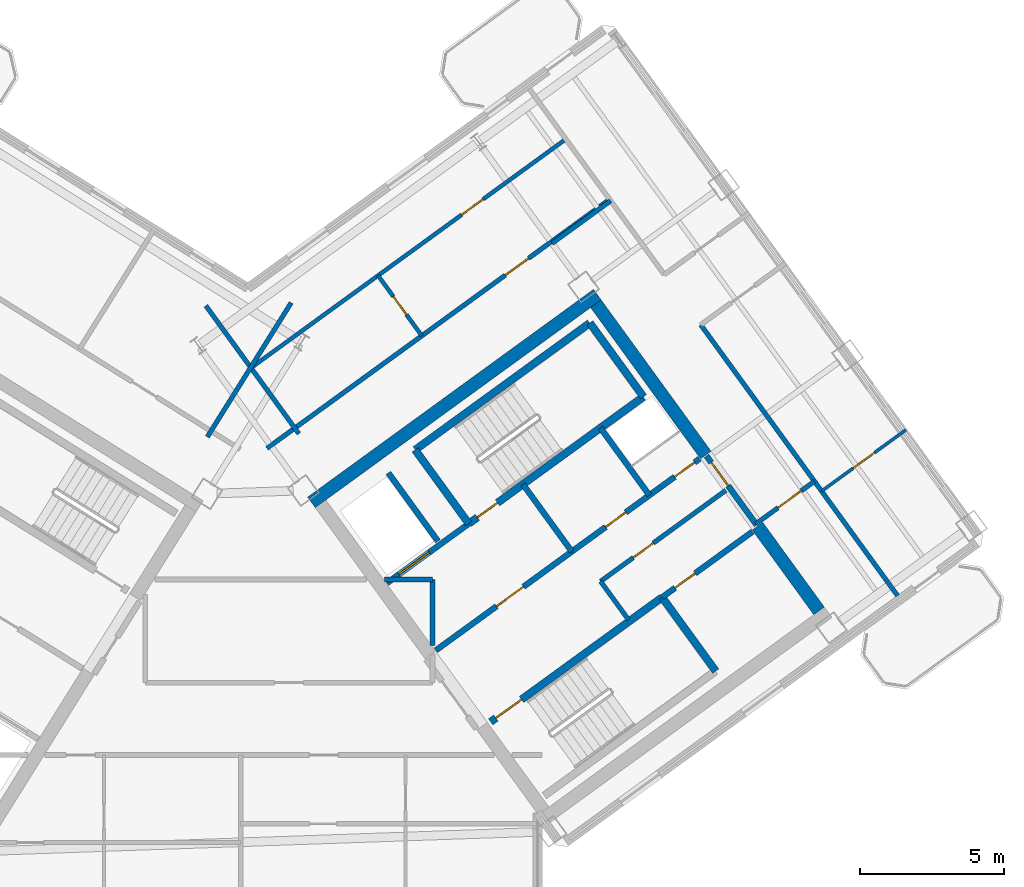
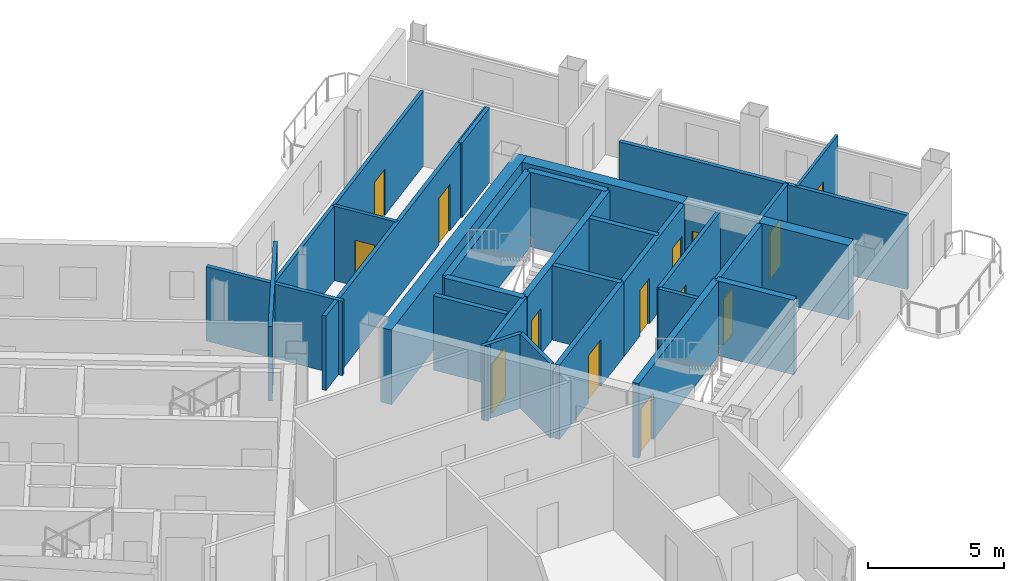
# One storey, part 14 of 21: 30 walls, 14 doors, 14 openings.
"""IFC4 building model written with IfcOpenShell, lengths in metres."""

from ifc_helpers import new_model, si_unit, direction, frame, frame_2d, origin, place, context, subcontext, project, spatial, rectangle, extrude, source, transform, mapped, material, layer, layer_set, type_object, element, fill, save


model = new_model("IFC4")

# Units and contexts
model_context = context("Model", 3, precision=1e-05, world=origin(), true_north=direction((0.0, 1.0)))
body_context = subcontext(model_context, "Body", "Model", "MODEL_VIEW")
ifc_project = project(units=[si_unit("LENGTHUNIT", "METRE"), si_unit("AREAUNIT", "SQUARE_METRE"), si_unit("VOLUMEUNIT", "CUBIC_METRE"), si_unit("PLANEANGLEUNIT", "RADIAN"), si_unit("MASSUNIT", "GRAM", prefix="KILO")], contexts=[model_context])

# Site, building, storey
site_placement = place(None, origin())
site = spatial("IfcSite", under=ifc_project, at=site_placement, CompositionType="ELEMENT")
building_placement = place(site_placement, origin())
building = spatial("IfcBuilding", under=site, at=building_placement, Name="Tlacorven Tower", CompositionType="ELEMENT")
storey_placement = place(building_placement, frame((0.0, 0.0, 222.0)))
storey = spatial("IfcBuildingStorey", under=building, at=storey_placement, Name="L56", CompositionType="ELEMENT", Elevation=222.0)

# Walls
ifc_material_1 = material(Name="Concrete C50/60", Category="concrete")
ifc_layer_1 = layer(ifc_material_1, 0.449951171875)
ifc_layer_set_1 = layer_set([ifc_layer_1], Name="Concrete C50/60")
wall_type_1 = type_object("IfcWallType", Name="WL-COR-450", PredefinedType="SHEAR", material=ifc_layer_set_1)
wall_1_placement = place(storey_placement, frame((44.405517578125, 24.171630859375, 0.0), z_axis=(0.0, 0.0, 1.0), x_axis=(0.809012867805, 0.587790931986, 0.0)))
element("IfcWall", 1, at=wall_1_placement, inside=storey, type_object=wall_type_1, Name="L56 E core shear wall S2", PredefinedType="SHEAR", context=body_context, shape_type="SweptSolid", body=[
    extrude(rectangle(XDim=12.239990234375, YDim=0.449951171875, at=frame_2d((6.1201171875, 0.0))), origin(), (0.0, 0.0, 1.0), 3.35009765625),
])
wall_2_placement = place(storey_placement, frame((61.987548828125, 20.413330078125, 0.0), z_axis=(0.0, 0.0, 1.0), x_axis=(-0.587819244441, 0.808992296542, 0.0)))
element("IfcWall", 2, at=wall_2_placement, inside=storey, type_object=wall_type_1, Name="L56 E core end wall E2.1", PredefinedType="SHEAR", context=body_context, shape_type="SweptSolid", body=[
    extrude(rectangle(XDim=3.625, YDim=0.449951171875, at=frame_2d((1.8125, 0.0))), origin(), (0.0, 0.0, 1.0), 3.35009765625),
])
wall_3_placement = place(storey_placement, frame((58.06396484375, 25.8134765625, 0.0), z_axis=(0.0, 0.0, 1.0), x_axis=(-0.587774812919, 0.809024578921, 0.0)))
element("IfcWall", 3, at=wall_3_placement, inside=storey, type_object=wall_type_1, Name="L56 E core end wall E2.2", PredefinedType="SHEAR", context=body_context, shape_type="SweptSolid", body=[
    extrude(rectangle(XDim=6.47509765625, YDim=0.449951171875, at=frame_2d((3.237548828125, 0.0))), origin(), (0.0, 0.0, 1.0), 3.35009765625),
])

# Wall, opening, door
ifc_material_2 = material(Name="Gypsum plasterboard acoustic partition", Category="gypsum")
ifc_layer_2 = layer(ifc_material_2, 0.159912109375)
ifc_layer_set_2 = layer_set([ifc_layer_2], Name="Gypsum plasterboard acoustic partition")
wall_type_2 = type_object("IfcWallType", Name="WL-DEM-160", PredefinedType="PARTITIONING", material=ifc_layer_set_2)
wall_4_placement = place(storey_placement, frame((54.421142578125, 21.436279296875, 0.0), z_axis=(0.0, 0.0, 1.0), x_axis=(0.809013710463, 0.587789772183, 0.0)))
wall_4 = element("IfcWall", 4, at=wall_4_placement, inside=storey, type_object=wall_type_2, Name="L56 partition 31", PredefinedType="PARTITIONING", context=body_context, shape_type="SweptSolid", body=[
    extrude(rectangle(XDim=5.360107421875, YDim=0.159912109375, at=frame_2d((2.68017578125, 0.0))), origin(), (0.0, 0.0, 1.0), 3.340087890625),
])
opening_1_placement = place(wall_4_placement, frame((1.39990234375, 0.0, 0.0)))
opening_1 = element("IfcOpeningElement", 5, at=opening_1_placement, cuts=wall_4, Name="Opening D19", PredefinedType="OPENING", context=body_context, shape_type="SweptSolid", body=[
    extrude(rectangle(XDim=0.860107421875, YDim=2.050048828125, at=frame_2d((0.43017578125, 1.02490234375))), frame((0.0, 0.08984375, 0.0), z_axis=(0.0, -1.0, 0.0), x_axis=(1.0, 0.0, 0.0)), (0.0, 0.0, 1.0), 0.179931640625),
])
ifc_material_3 = material(Name="Fire-rated steel door assembly", Category="steel")
door_type_1 = type_object("IfcDoorType", Name="DR-RSR-FD60-0860", OperationType="NOTDEFINED", PredefinedType="DOOR", material=ifc_material_3)
shared_shape_1 = source(origin(), body_context, "Body", "SweptSolid", [
    extrude(rectangle(XDim=0.860107421875, YDim=2.050048828125, at=frame_2d((0.43017578125, 1.02490234375))), frame((0.0, 0.02490234375, 0.0), z_axis=(0.0, -1.0, 0.0), x_axis=(1.0, 0.0, 0.0)), (0.0, 0.0, 1.0), 0.050048828125),
])
door_1_placement = place(opening_1_placement, origin())
door_1 = element("IfcDoor", 6, at=door_1_placement, inside=storey, type_object=door_type_1, Name="L56 Freed Core Store Door", OperationType="SINGLE_SWING_LEFT", OverallHeight=2.050048828125, OverallWidth=0.860107421875, PredefinedType="DOOR", context=body_context, shape_type="MappedRepresentation", body=[
    mapped(shared_shape_1, transform((0.0, 0.0, 0.0), scale=1.0)),
])
fill(opening_1, door_1)

# Walls
wall_5_placement = place(storey_placement, frame((55.390869140625, 20.1015625, 0.0), z_axis=(0.0, 0.0, 1.0), x_axis=(-0.58778447739, 0.809017557374, 0.0)))
element("IfcWall", 7, at=wall_5_placement, inside=storey, type_object=wall_type_2, Name="L56 partition 32", PredefinedType="PARTITIONING", context=body_context, shape_type="SweptSolid", body=[
    extrude(rectangle(XDim=1.64990234375, YDim=0.159912109375, at=frame_2d((0.824951171875, 0.0))), origin(), (0.0, 0.0, 1.0), 3.340087890625),
])
wall_6_placement = place(storey_placement, frame((43.70361328125, 31.086181640625, 0.0), z_axis=(0.0, 0.0, 1.0), x_axis=(-0.529906828443, -0.848055866774, 0.0)))
element("IfcWall", 8, at=wall_6_placement, inside=storey, type_object=wall_type_2, Name="L56 WC West Throat Wall", PredefinedType="PARTITIONING", context=body_context, shape_type="SweptSolid", body=[
    extrude(rectangle(XDim=5.479736328125, YDim=0.159912109375, at=frame_2d((2.73974609375, 0.0))), origin(), (0.0, 0.0, 1.0), 3.340087890625),
])
wall_7_placement = place(storey_placement, frame((48.60009765625, 19.2099609375, 0.0), z_axis=(0.0, 0.0, 1.0), x_axis=(0.0, 1.0, 0.0)))
element("IfcWall", 9, at=wall_7_placement, inside=storey, type_object=wall_type_2, Name="L56 partition 65", PredefinedType="PARTITIONING", context=body_context, shape_type="SweptSolid", body=[
    extrude(rectangle(XDim=2.2900390625, YDim=0.159912109375, at=frame_2d((1.14501953125, 0.0))), origin(), (0.0, 0.0, 1.0), 3.340087890625),
])
wall_8_placement = place(storey_placement, frame((46.936279296875, 21.5, 0.0), z_axis=(0.0, 0.0, 1.0), x_axis=(1.0, 0.0, 0.0)))
element("IfcWall", 10, at=wall_8_placement, inside=storey, type_object=wall_type_2, Name="L56 partition 66", PredefinedType="PARTITIONING", context=body_context, shape_type="SweptSolid", body=[
    extrude(rectangle(XDim=1.663818359375, YDim=0.159912109375, at=frame_2d((0.83203125, 0.0))), origin(), (0.0, 0.0, 1.0), 3.340087890625),
])

# Wall, opening, door
wall_9_placement = place(storey_placement, frame((59.7978515625, 23.427001953125, 0.0), z_axis=(0.0, 0.0, 1.0), x_axis=(0.809034604122, 0.587761013791, 0.0)))
wall_9 = element("IfcWall", 11, at=wall_9_placement, inside=storey, type_object=wall_type_2, Name="L56 partition 78", PredefinedType="PARTITIONING", context=body_context, shape_type="SweptSolid", body=[
    extrude(rectangle(XDim=2.510009765625, YDim=0.159912109375, at=frame_2d((1.2548828125, 0.0))), origin(), (0.0, 0.0, 1.0), 3.340087890625),
])
opening_2_placement = place(wall_9_placement, frame((0.949951171875, 0.0, 0.0)))
opening_2 = element("IfcOpeningElement", 12, at=opening_2_placement, cuts=wall_9, Name="Opening D11", PredefinedType="OPENING", context=body_context, shape_type="SweptSolid", body=[
    extrude(rectangle(XDim=1.0, YDim=2.10009765625, at=frame_2d((0.5, 1.050048828125))), frame((0.0, 0.08984375, 0.0), z_axis=(0.0, -1.0, 0.0), x_axis=(1.0, 0.0, 0.0)), (0.0, 0.0, 1.0), 0.179931640625),
])
door_type_2 = type_object("IfcDoorType", Name="DR-FLT-FD60-1000", OperationType="NOTDEFINED", PredefinedType="DOOR", material=ifc_material_3)
shared_shape_2 = source(origin(), body_context, "Body", "SweptSolid", [
    extrude(rectangle(XDim=1.0, YDim=2.10009765625, at=frame_2d((0.5, 1.050048828125))), frame((0.0, 0.02490234375, 0.0), z_axis=(0.0, -1.0, 0.0), x_axis=(1.0, 0.0, 0.0)), (0.0, 0.0, 1.0), 0.050048828125),
])
door_2_placement = place(opening_2_placement, frame((1.0, 0.0, 0.0), z_axis=(0.0, 0.0, 1.0), x_axis=(-1.0, 0.0, 0.0)))
door_2 = element("IfcDoor", 13, at=door_2_placement, inside=storey, type_object=door_type_2, Name="L56 door 053", OperationType="SINGLE_SWING_RIGHT", OverallHeight=2.10009765625, OverallWidth=1.0, PredefinedType="DOOR", context=body_context, shape_type="MappedRepresentation", body=[
    mapped(shared_shape_2, transform((0.0, 0.0, 0.0), scale=1.0)),
])
fill(opening_2, door_2)

# Walls
wall_10_placement = place(storey_placement, frame((52.73876953125, 33.143310546875, 0.0), z_axis=(0.0, 0.0, 1.0), x_axis=(0.809000999347, 0.58780726693, 0.0)))
element("IfcWall", 14, at=wall_10_placement, inside=storey, type_object=wall_type_2, Name="L56 partition 79", PredefinedType="PARTITIONING", context=body_context, shape_type="SweptSolid", body=[
    extrude(rectangle(XDim=2.510009765625, YDim=0.159912109375, at=frame_2d((1.2548828125, 0.0))), origin(), (0.0, 0.0, 1.0), 3.340087890625),
])
wall_11_placement = place(storey_placement, frame((64.708740234375, 20.93798828125, 0.0), z_axis=(0.0, 0.0, 1.0), x_axis=(-0.587781191743, 0.809019944521, 0.0)))
element("IfcWall", 15, at=wall_11_placement, inside=storey, type_object=wall_type_2, Name="L56 partition 80", PredefinedType="PARTITIONING", context=body_context, shape_type="SweptSolid", body=[
    extrude(rectangle(XDim=11.60009765625, YDim=0.159912109375, at=frame_2d((5.800048828125, 0.0))), origin(), (0.0, 0.0, 1.0), 3.340087890625),
])

# Wall, opening, door
wall_12_placement = place(storey_placement, frame((42.86572265625, 26.04443359375, 0.0), z_axis=(0.0, 0.0, 1.0), x_axis=(0.809020254154, 0.587780765566, 0.0)))
wall_12 = element("IfcWall", 16, at=wall_12_placement, inside=storey, type_object=wall_type_2, Name="L56 partition 86", PredefinedType="PARTITIONING", context=body_context, shape_type="SweptSolid", body=[
    extrude(rectangle(XDim=14.670166015625, YDim=0.159912109375, at=frame_2d((7.3349609375, 0.0))), origin(), (0.0, 0.0, 1.0), 3.340087890625),
])
opening_3_placement = place(wall_12_placement, frame((10.199951171875, 0.0, 0.0)))
opening_3 = element("IfcOpeningElement", 17, at=opening_3_placement, cuts=wall_12, Name="Opening D11", PredefinedType="OPENING", context=body_context, shape_type="SweptSolid", body=[
    extrude(rectangle(XDim=1.0, YDim=2.10009765625, at=frame_2d((0.5, 1.050048828125))), frame((0.0, 0.08984375, 0.0), z_axis=(0.0, -1.0, 0.0), x_axis=(1.0, 0.0, 0.0)), (0.0, 0.0, 1.0), 0.179931640625),
])
door_3_placement = place(opening_3_placement, origin())
door_3 = element("IfcDoor", 18, at=door_3_placement, inside=storey, type_object=door_type_2, Name="L56 door 058", OperationType="SINGLE_SWING_LEFT", OverallHeight=2.10009765625, OverallWidth=1.0, PredefinedType="DOOR", context=body_context, shape_type="MappedRepresentation", body=[
    mapped(shared_shape_2, transform((0.0, 0.0, 0.0), scale=1.0)),
])
fill(opening_3, door_3)

# Wall
wall_13_placement = place(storey_placement, frame((43.969482421875, 26.549560546875, 0.0), z_axis=(0.0, 0.0, 1.0), x_axis=(-0.587776919386, 0.80902304852, 0.0)))
element("IfcWall", 19, at=wall_13_placement, inside=storey, type_object=wall_type_2, Name="L56 EC West Throat Wall", PredefinedType="PARTITIONING", context=body_context, shape_type="SweptSolid", body=[
    extrude(rectangle(XDim=5.47998046875, YDim=0.159912109375, at=frame_2d((2.739990234375, 0.0))), origin(), (0.0, 0.0, 1.0), 3.340087890625),
])

# Wall, opening, door
ifc_material_4 = material(Name="Gypsum plasterboard partition", Category="gypsum")
ifc_layer_3 = layer(ifc_material_4, 0.110107421875)
ifc_layer_set_3 = layer_set([ifc_layer_3], Name="Gypsum plasterboard partition")
wall_type_3 = type_object("IfcWallType", Name="WL-INT-110", PredefinedType="PARTITIONING", material=ifc_layer_set_3)
wall_14_placement = place(storey_placement, frame((62.07666015625, 24.560791015625, 0.0), z_axis=(0.0, 0.0, 1.0), x_axis=(0.809005039917, 0.58780170584, 0.0)))
wall_14 = element("IfcWall", 20, at=wall_14_placement, inside=storey, type_object=wall_type_3, Name="L56 partition 85", PredefinedType="PARTITIONING", context=body_context, shape_type="SweptSolid", body=[
    extrude(rectangle(XDim=3.610107421875, YDim=0.110107421875, at=frame_2d((1.80517578125, 0.0))), origin(), (0.0, 0.0, 1.0), 3.340087890625),
])
opening_4_placement = place(wall_14_placement, frame((1.344970703125, 0.0, 0.0)))
opening_4 = element("IfcOpeningElement", 21, at=opening_4_placement, cuts=wall_14, Name="Opening D12", PredefinedType="OPENING", context=body_context, shape_type="SweptSolid", body=[
    extrude(rectangle(XDim=0.919921875, YDim=2.080078125, at=frame_2d((0.4599609375, 1.0400390625))), frame((0.0, 0.06494140625, 0.0), z_axis=(0.0, -1.0, 0.0), x_axis=(1.0, 0.0, 0.0)), (0.0, 0.0, 1.0), 0.130126953125),
])
ifc_material_5 = material(Name="Powder-coated aluminium and timber door", Category="wood")
door_type_3 = type_object("IfcDoorType", Name="DR-INT-ROOM-0920", OperationType="NOTDEFINED", PredefinedType="DOOR", material=ifc_material_5)
shared_shape_3 = source(origin(), body_context, "Body", "SweptSolid", [
    extrude(rectangle(XDim=0.919921875, YDim=2.080078125, at=frame_2d((0.4599609375, 1.0400390625))), frame((0.0, 0.02490234375, 0.0), z_axis=(0.0, -1.0, 0.0), x_axis=(1.0, 0.0, 0.0)), (0.0, 0.0, 1.0), 0.050048828125),
])
door_4_placement = place(opening_4_placement, origin())
door_4 = element("IfcDoor", 22, at=door_4_placement, inside=storey, type_object=door_type_3, Name="L56 door 057", OperationType="SINGLE_SWING_RIGHT", OverallHeight=2.080078125, OverallWidth=0.919921875, PredefinedType="DOOR", context=body_context, shape_type="MappedRepresentation", body=[
    mapped(shared_shape_3, transform((0.0, 0.0, 0.0), scale=1.0)),
])
fill(opening_4, door_4)

ifc_material_6 = material(Name="Moisture-resistant gypsum plumbing wall", Category="gypsum")
ifc_layer_4 = layer(ifc_material_6, 0.139892578125)
ifc_layer_set_4 = layer_set([ifc_layer_4], Name="Moisture-resistant gypsum plumbing wall")
wall_type_4 = type_object("IfcWallType", Name="WL-PLM-140", PredefinedType="PLUMBINGWALL", material=ifc_layer_set_4)
wall_15_placement = place(storey_placement, frame((42.376708984375, 28.878173828125, 0.0), z_axis=(0.0, 0.0, 1.0), x_axis=(0.809020411523, 0.587780548963, 0.0)))
wall_15 = element("IfcWall", 23, at=wall_15_placement, inside=storey, type_object=wall_type_4, Name="L56 partition 88", PredefinedType="PLUMBINGWALL", context=body_context, shape_type="SweptSolid", body=[
    extrude(rectangle(XDim=13.39990234375, YDim=0.139892578125, at=frame_2d((6.699951171875, 0.0))), origin(), (0.0, 0.0, 1.0), 3.340087890625),
])
opening_5_placement = place(wall_15_placement, frame((8.93994140625, 0.0, 0.0)))
opening_5 = element("IfcOpeningElement", 24, at=opening_5_placement, cuts=wall_15, Name="Opening D12", PredefinedType="OPENING", context=body_context, shape_type="SweptSolid", body=[
    extrude(rectangle(XDim=0.919921875, YDim=2.080078125, at=frame_2d((0.4599609375, 1.0400390625))), frame((0.0, 0.080078125, 0.0), z_axis=(0.0, -1.0, 0.0), x_axis=(1.0, 0.0, 0.0)), (0.0, 0.0, 1.0), 0.159912109375),
])
door_5_placement = place(opening_5_placement, origin())
door_5 = element("IfcDoor", 25, at=door_5_placement, inside=storey, type_object=door_type_3, Name="L56 door 059", OperationType="SINGLE_SWING_RIGHT", OverallHeight=2.080078125, OverallWidth=0.919921875, PredefinedType="DOOR", context=body_context, shape_type="MappedRepresentation", body=[
    mapped(shared_shape_3, transform((0.0, 0.0, 0.0), scale=1.0)),
])
fill(opening_5, door_5)

wall_16_placement = place(storey_placement, frame((48.2294921875, 29.94140625, 0.0), z_axis=(0.0, 0.0, 1.0), x_axis=(-0.587772116736, 0.809026537752, 0.0)))
wall_16 = element("IfcWall", 26, at=wall_16_placement, inside=storey, type_object=wall_type_4, Name="L56 partition 89", PredefinedType="PLUMBINGWALL", context=body_context, shape_type="SweptSolid", body=[
    extrude(rectangle(XDim=2.579833984375, YDim=0.139892578125, at=frame_2d((1.2900390625, 0.0))), origin(), (0.0, 0.0, 1.0), 3.340087890625),
])
opening_6_placement = place(wall_16_placement, frame((0.89990234375, 0.0, 0.0)))
opening_6 = element("IfcOpeningElement", 27, at=opening_6_placement, cuts=wall_16, Name="Opening D22", PredefinedType="OPENING", context=body_context, shape_type="SweptSolid", body=[
    extrude(rectangle(XDim=0.780029296875, YDim=2.050048828125, at=frame_2d((0.39013671875, 1.02490234375))), frame((0.0, 0.080078125, 0.0), z_axis=(0.0, -1.0, 0.0), x_axis=(1.0, 0.0, 0.0)), (0.0, 0.0, 1.0), 0.159912109375),
])
door_type_4 = type_object("IfcDoorType", Name="DR-INT-WET-0780", OperationType="NOTDEFINED", PredefinedType="DOOR", material=ifc_material_5)
shared_shape_4 = source(origin(), body_context, "Body", "SweptSolid", [
    extrude(rectangle(XDim=0.780029296875, YDim=2.050048828125, at=frame_2d((0.39013671875, 1.02490234375))), frame((0.0, 0.02490234375, 0.0), z_axis=(0.0, -1.0, 0.0), x_axis=(1.0, 0.0, 0.0)), (0.0, 0.0, 1.0), 0.050048828125),
])
door_6_placement = place(opening_6_placement, origin())
door_6 = element("IfcDoor", 28, at=door_6_placement, inside=storey, type_object=door_type_4, Name="L56 door 060", OperationType="SINGLE_SWING_LEFT", OverallHeight=2.050048828125, OverallWidth=0.780029296875, PredefinedType="DOOR", context=body_context, shape_type="MappedRepresentation", body=[
    mapped(shared_shape_4, transform((0.0, 0.0, 0.0), scale=1.0)),
])
fill(opening_6, door_6)

ifc_material_7 = material(Name="Concrete C40/50", Category="concrete")
ifc_layer_5 = layer(ifc_material_7, 0.199951171875)
ifc_layer_set_5 = layer_set([ifc_layer_5], Name="Concrete C40/50")
wall_type_5 = type_object("IfcWallType", Name="WL-SHF-200", PredefinedType="STANDARD", material=ifc_layer_set_5)
wall_17_placement = place(storey_placement, frame((47.02490234375, 21.3779296875, 0.0), z_axis=(0.0, 0.0, 1.0), x_axis=(0.809052869724, 0.587735870941, 0.0)))
wall_17 = element("IfcWall", 29, at=wall_17_placement, inside=storey, type_object=wall_type_5, Name="L56 Core E Firefighting Lift Shaft Front Wall", PredefinedType="STANDARD", context=body_context, shape_type="SweptSolid", body=[
    extrude(rectangle(XDim=3.498046875, YDim=0.199951171875, at=frame_2d((1.7490234375, 0.0))), origin(), (0.0, 0.0, 1.0), 3.340087890625),
])
opening_7_placement = place(wall_17_placement, frame((0.508056640625, 0.0, 0.0)))
opening_7 = element("IfcOpeningElement", 30, at=opening_7_placement, cuts=wall_17, Name="Opening LD03", PredefinedType="OPENING", context=body_context, shape_type="SweptSolid", body=[
    extrude(rectangle(XDim=1.300048828125, YDim=2.199951171875, at=frame_2d((0.64990234375, 1.10009765625))), frame((0.0, 0.10986328125, 0.0), z_axis=(0.0, -1.0, 0.0), x_axis=(1.0, 0.0, 0.0)), (0.0, 0.0, 1.0), 0.219970703125),
])
door_type_5 = type_object("IfcDoorType", Name="DR-LFT-SLID-1300", OperationType="DOUBLE_DOOR_SLIDING", PredefinedType="DOOR", material=ifc_material_3)
shared_shape_5 = source(origin(), body_context, "Body", "SweptSolid", [
    extrude(rectangle(XDim=1.300048828125, YDim=2.199951171875, at=frame_2d((0.64990234375, 1.10009765625))), frame((0.0, 0.02490234375, 0.0), z_axis=(0.0, -1.0, 0.0), x_axis=(1.0, 0.0, 0.0)), (0.0, 0.0, 1.0), 0.050048828125),
])
door_7_placement = place(opening_7_placement, origin())
door_7 = element("IfcDoor", 31, at=door_7_placement, inside=storey, type_object=door_type_5, Name="L56 Lift FFL-E1 Sliding Landing Door", OperationType="DOUBLE_DOOR_SLIDING", OverallHeight=2.199951171875, OverallWidth=1.300048828125, PredefinedType="DOOR", context=body_context, shape_type="MappedRepresentation", body=[
    mapped(shared_shape_5, transform((0.0, 0.0, 0.0), scale=1.0)),
])
fill(opening_7, door_7)

wall_18_placement = place(storey_placement, frame((48.7177734375, 19.0478515625, 0.0), z_axis=(0.0, 0.0, 1.0), x_axis=(0.809017261719, 0.587784884325, 0.0)))
wall_18 = element("IfcWall", 32, at=wall_18_placement, inside=storey, type_object=wall_type_5, Name="L56 Core E Smoke Lobby Wall", PredefinedType="STANDARD", context=body_context, shape_type="SweptSolid", body=[
    extrude(rectangle(XDim=5.81787109375, YDim=0.199951171875, at=frame_2d((2.908935546875, 0.0))), origin(), (0.0, 0.0, 1.0), 3.340087890625),
])
opening_8_placement = place(wall_18_placement, frame((2.597900390625, 0.0, 0.0)))
opening_8 = element("IfcOpeningElement", 33, at=opening_8_placement, cuts=wall_18, Name="Opening D09", PredefinedType="OPENING", context=body_context, shape_type="SweptSolid", body=[
    extrude(rectangle(XDim=1.14990234375, YDim=2.10009765625, at=frame_2d((0.574951171875, 1.050048828125))), frame((0.0, 0.10986328125, 0.0), z_axis=(0.0, -1.0, 0.0), x_axis=(1.0, 0.0, 0.0)), (0.0, 0.0, 1.0), 0.219970703125),
])
door_type_6 = type_object("IfcDoorType", Name="DR-FFL-FD60-1150", OperationType="NOTDEFINED", PredefinedType="DOOR", material=ifc_material_3)
shared_shape_6 = source(origin(), body_context, "Body", "SweptSolid", [
    extrude(rectangle(XDim=1.14990234375, YDim=2.10009765625, at=frame_2d((0.574951171875, 1.050048828125))), frame((0.0, 0.02490234375, 0.0), z_axis=(0.0, -1.0, 0.0), x_axis=(1.0, 0.0, 0.0)), (0.0, 0.0, 1.0), 0.050048828125),
])
door_8_placement = place(opening_8_placement, origin())
door_8 = element("IfcDoor", 34, at=door_8_placement, inside=storey, type_object=door_type_6, Name="L56 Firefighting Lobby E Fire Door", OperationType="SINGLE_SWING_LEFT", OverallHeight=2.10009765625, OverallWidth=1.14990234375, PredefinedType="DOOR", context=body_context, shape_type="MappedRepresentation", body=[
    mapped(shared_shape_6, transform((0.0, 0.0, 0.0), scale=1.0)),
])
fill(opening_8, door_8)

wall_19_placement = place(storey_placement, frame((56.552978515625, 20.884033203125, 0.0), z_axis=(0.0, 0.0, 1.0), x_axis=(0.809041669066, 0.587751288995, 0.0)))
wall_19 = element("IfcWall", 35, at=wall_19_placement, inside=storey, type_object=wall_type_5, Name="L56 Core E South Lift Shaft Wall", PredefinedType="STANDARD", context=body_context, shape_type="SweptSolid", body=[
    extrude(rectangle(XDim=3.867919921875, YDim=0.199951171875, at=frame_2d((1.93408203125, 0.0))), origin(), (0.0, 0.0, 1.0), 3.340087890625),
])
opening_9_placement = place(wall_19_placement, frame((0.550048828125, 0.0, 0.0)))
opening_9 = element("IfcOpeningElement", 36, at=opening_9_placement, cuts=wall_19, Name="Opening D19", PredefinedType="OPENING", context=body_context, shape_type="SweptSolid", body=[
    extrude(rectangle(XDim=0.860107421875, YDim=2.050048828125, at=frame_2d((0.43017578125, 1.02490234375))), frame((0.0, 0.10986328125, 0.0), z_axis=(0.0, -1.0, 0.0), x_axis=(1.0, 0.0, 0.0)), (0.0, 0.0, 1.0), 0.219970703125),
])
door_9_placement = place(opening_9_placement, origin())
door_9 = element("IfcDoor", 37, at=door_9_placement, inside=storey, type_object=door_type_1, Name="L56 East Telecoms Riser Access Door", OperationType="SINGLE_SWING_RIGHT", OverallHeight=2.050048828125, OverallWidth=0.860107421875, PredefinedType="DOOR", context=body_context, shape_type="MappedRepresentation", body=[
    mapped(shared_shape_1, transform((0.0, 0.0, 0.0), scale=1.0)),
])
fill(opening_9, door_9)

# Walls
wall_20_placement = place(storey_placement, frame((48.78564453125, 22.830078125, 0.0), z_axis=(0.0, 0.0, 1.0), x_axis=(-0.587783856777, 0.809018008275, 0.0)))
element("IfcWall", 38, at=wall_20_placement, inside=storey, type_object=wall_type_5, Name="L56 partition 33", PredefinedType="STANDARD", context=body_context, shape_type="SweptSolid", body=[
    extrude(rectangle(XDim=2.919921875, YDim=0.199951171875, at=frame_2d((1.4599609375, 0.0))), origin(), (0.0, 0.0, 1.0), 3.340087890625),
])
wall_21_placement = place(storey_placement, frame((53.424560546875, 22.467529296875, 0.0), z_axis=(0.0, 0.0, 1.0), x_axis=(-0.5877230039, 0.809062216821, 0.0)))
element("IfcWall", 39, at=wall_21_placement, inside=storey, type_object=wall_type_5, Name="L56 partition 34", PredefinedType="STANDARD", context=body_context, shape_type="SweptSolid", body=[
    extrude(rectangle(XDim=2.8798828125, YDim=0.199951171875, at=frame_2d((1.43994140625, 0.0))), origin(), (0.0, 0.0, 1.0), 3.340087890625),
])
wall_22_placement = place(storey_placement, frame((56.110595703125, 24.4189453125, 0.0), z_axis=(0.0, 0.0, 1.0), x_axis=(-0.58777848983, 0.809021907548, 0.0)))
element("IfcWall", 40, at=wall_22_placement, inside=storey, type_object=wall_type_5, Name="L56 partition 35", PredefinedType="STANDARD", context=body_context, shape_type="SweptSolid", body=[
    extrude(rectangle(XDim=2.880126953125, YDim=0.199951171875, at=frame_2d((1.43994140625, 0.0))), origin(), (0.0, 0.0, 1.0), 3.340087890625),
])

# Wall, openings, doors
wall_23_placement = place(storey_placement, frame((53.424560546875, 22.467529296875, 0.0), z_axis=(0.0, 0.0, 1.0), x_axis=(0.809015945709, 0.587786695655, 0.0)))
wall_23 = element("IfcWall", 41, at=wall_23_placement, inside=storey, type_object=wall_type_5, Name="L56 Core E North Service Wall", PredefinedType="STANDARD", context=body_context, shape_type="SweptSolid", body=[
    extrude(rectangle(XDim=5.46826171875, YDim=0.199951171875, at=frame_2d((2.734130859375, 0.0))), origin(), (0.0, 0.0, 1.0), 3.340087890625),
])
opening_10_placement = place(wall_23_placement, frame((4.39990234375, 0.0, 0.0)))
opening_10 = element("IfcOpeningElement", 42, at=opening_10_placement, cuts=wall_23, Name="Opening D19", PredefinedType="OPENING", context=body_context, shape_type="SweptSolid", body=[
    extrude(rectangle(XDim=0.860107421875, YDim=2.050048828125, at=frame_2d((0.43017578125, 1.02490234375))), frame((0.0, 0.10986328125, 0.0), z_axis=(0.0, -1.0, 0.0), x_axis=(1.0, 0.0, 0.0)), (0.0, 0.0, 1.0), 0.219970703125),
])
opening_11_placement = place(wall_23_placement, frame((1.449951171875, 0.0, 0.0)))
opening_11 = element("IfcOpeningElement", 43, at=opening_11_placement, cuts=wall_23, Name="Opening D19", PredefinedType="OPENING", context=body_context, shape_type="SweptSolid", body=[
    extrude(rectangle(XDim=0.860107421875, YDim=2.050048828125, at=frame_2d((0.43017578125, 1.02490234375))), frame((0.0, 0.10986328125, 0.0), z_axis=(0.0, -1.0, 0.0), x_axis=(1.0, 0.0, 0.0)), (0.0, 0.0, 1.0), 0.219970703125),
])
door_10_placement = place(opening_10_placement, frame((0.860107421875, 0.0, 0.0), z_axis=(0.0, 0.0, 1.0), x_axis=(-1.0, 0.0, 0.0)))
door_10 = element("IfcDoor", 44, at=door_10_placement, inside=storey, type_object=door_type_1, Name="L56 Electrical Riser Access Door E", OperationType="SINGLE_SWING_LEFT", OverallHeight=2.050048828125, OverallWidth=0.860107421875, PredefinedType="DOOR", context=body_context, shape_type="MappedRepresentation", body=[
    mapped(shared_shape_1, transform((0.0, 0.0, 0.0), scale=1.0)),
])
fill(opening_10, door_10)
door_11_placement = place(opening_11_placement, frame((0.860107421875, 0.0, 0.0), z_axis=(0.0, 0.0, 1.0), x_axis=(-1.0, 0.0, 0.0)))
door_11 = element("IfcDoor", 45, at=door_11_placement, inside=storey, type_object=door_type_1, Name="L56 Housekeeping Linen Access Door E", OperationType="SINGLE_SWING_RIGHT", OverallHeight=2.050048828125, OverallWidth=0.860107421875, PredefinedType="DOOR", context=body_context, shape_type="MappedRepresentation", body=[
    mapped(shared_shape_1, transform((0.0, 0.0, 0.0), scale=1.0)),
])
fill(opening_11, door_11)

# Wall, opening, door
wall_24_placement = place(storey_placement, frame((59.827392578125, 23.386474609375, 0.0), z_axis=(0.0, 0.0, 1.0), x_axis=(-0.587803840107, 0.809003489211, 0.0)))
wall_24 = element("IfcWall", 46, at=wall_24_placement, inside=storey, type_object=wall_type_5, Name="L56 partition 77", PredefinedType="STANDARD", context=body_context, shape_type="SweptSolid", body=[
    extrude(rectangle(XDim=2.960205078125, YDim=0.199951171875, at=frame_2d((1.47998046875, 0.0))), origin(), (0.0, 0.0, 1.0), 3.340087890625),
])
opening_12_placement = place(wall_24_placement, frame((1.679931640625, 0.0, 0.0)))
opening_12 = element("IfcOpeningElement", 47, at=opening_12_placement, cuts=wall_24, Name="Opening D11", PredefinedType="OPENING", context=body_context, shape_type="SweptSolid", body=[
    extrude(rectangle(XDim=1.0, YDim=2.10009765625, at=frame_2d((0.5, 1.050048828125))), frame((0.0, 0.10986328125, 0.0), z_axis=(0.0, -1.0, 0.0), x_axis=(1.0, 0.0, 0.0)), (0.0, 0.0, 1.0), 0.219970703125),
])
door_12_placement = place(opening_12_placement, origin())
door_12 = element("IfcDoor", 48, at=door_12_placement, inside=storey, type_object=door_type_2, Name="L56 door 054", OperationType="SINGLE_SWING_LEFT", OverallHeight=2.10009765625, OverallWidth=1.0, PredefinedType="DOOR", context=body_context, shape_type="MappedRepresentation", body=[
    mapped(shared_shape_2, transform((0.0, 0.0, 0.0), scale=1.0)),
])
fill(opening_12, door_12)

# Wall
ifc_layer_6 = layer(ifc_material_1, 0.260009765625)
ifc_layer_set_6 = layer_set([ifc_layer_6], Name="Concrete C50/60")
wall_type_6 = type_object("IfcWallType", Name="WL-STW-260", PredefinedType="SHEAR", material=ifc_layer_set_6)
wall_25_placement = place(storey_placement, frame((48.005615234375, 25.996337890625, 0.0), z_axis=(0.0, 0.0, 1.0), x_axis=(0.80901903764, 0.587782439969, 0.0)))
element("IfcWall", 49, at=wall_25_placement, inside=storey, type_object=wall_type_6, Name="L56 Stair E1 Far Shear Wall", PredefinedType="SHEAR", context=body_context, shape_type="SweptSolid", body=[
    extrude(rectangle(XDim=7.4599609375, YDim=0.260009765625, at=frame_2d((3.72998046875, 0.0))), origin(), (0.0, 0.0, 1.0), 3.35009765625),
])

# Wall, opening, door
wall_26_placement = place(storey_placement, frame((49.863037109375, 23.439697265625, 0.0), z_axis=(0.0, 0.0, 1.0), x_axis=(0.809003474932, 0.587803859759, 0.0)))
wall_26 = element("IfcWall", 50, at=wall_26_placement, inside=storey, type_object=wall_type_6, Name="L56 Stair E1 Lobby Shear Wall", PredefinedType="SHEAR", context=body_context, shape_type="SweptSolid", body=[
    extrude(rectangle(XDim=7.4599609375, YDim=0.260009765625, at=frame_2d((3.72998046875, 0.0))), origin(), (0.0, 0.0, 1.0), 3.35009765625),
])
opening_13_placement = place(wall_26_placement, frame((0.360107421875, 0.0, 0.0)))
opening_13 = element("IfcOpeningElement", 51, at=opening_13_placement, cuts=wall_26, Name="Opening D19", PredefinedType="OPENING", context=body_context, shape_type="SweptSolid", body=[
    extrude(rectangle(XDim=0.860107421875, YDim=2.050048828125, at=frame_2d((0.43017578125, 1.02490234375))), frame((0.0, 0.14013671875, 0.0), z_axis=(0.0, -1.0, 0.0), x_axis=(1.0, 0.0, 0.0)), (0.0, 0.0, 1.0), 0.280029296875),
])
door_13_placement = place(opening_13_placement, frame((0.860107421875, 0.0, 0.0), z_axis=(0.0, 0.0, 1.0), x_axis=(-1.0, 0.0, 0.0)))
door_13 = element("IfcDoor", 52, at=door_13_placement, inside=storey, type_object=door_type_1, Name="L56 Exit Stair E1 Fire Door", OperationType="SINGLE_SWING_LEFT", OverallHeight=2.050048828125, OverallWidth=0.860107421875, PredefinedType="DOOR", context=body_context, shape_type="MappedRepresentation", body=[
    mapped(shared_shape_1, transform((0.0, 0.0, 0.0), scale=1.0)),
])
fill(opening_13, door_13)

# Walls
wall_27_placement = place(storey_placement, frame((49.85498046875, 23.433837890625, 0.0), z_axis=(0.0, 0.0, 1.0), x_axis=(-0.58776738483, 0.809029975545, 0.0)))
element("IfcWall", 53, at=wall_27_placement, inside=storey, type_object=wall_type_6, Name="L56 Stair E1 West Shear Wall", PredefinedType="SHEAR", context=body_context, shape_type="SweptSolid", body=[
    extrude(rectangle(XDim=3.16015625, YDim=0.260009765625, at=frame_2d((1.580078125, 0.0))), origin(), (0.0, 0.0, 1.0), 3.35009765625),
])
wall_28_placement = place(storey_placement, frame((55.906494140625, 27.83056640625, 0.0), z_axis=(0.0, 0.0, 1.0), x_axis=(-0.587804123638, 0.809003283204, 0.0)))
element("IfcWall", 54, at=wall_28_placement, inside=storey, type_object=wall_type_6, Name="L56 Stair E1 East Shear Wall", PredefinedType="SHEAR", context=body_context, shape_type="SweptSolid", body=[
    extrude(rectangle(XDim=3.159912109375, YDim=0.260009765625, at=frame_2d((1.580078125, 0.0))), origin(), (0.0, 0.0, 1.0), 3.35009765625),
])

# Wall, opening, door
wall_29_placement = place(storey_placement, frame((50.61474609375, 16.569580078125, 0.0), z_axis=(0.0, 0.0, 1.0), x_axis=(0.809028366311, 0.587769599847, 0.0)))
wall_29 = element("IfcWall", 55, at=wall_29_placement, inside=storey, type_object=wall_type_6, Name="L56 Stair E2 Lobby Shear Wall", PredefinedType="SHEAR", context=body_context, shape_type="SweptSolid", body=[
    extrude(rectangle(XDim=7.330078125, YDim=0.260009765625, at=frame_2d((3.6650390625, 0.0))), origin(), (0.0, 0.0, 1.0), 3.35009765625),
])
opening_14_placement = place(wall_29_placement, frame((0.219970703125, 0.0, 0.0)))
opening_14 = element("IfcOpeningElement", 56, at=opening_14_placement, cuts=wall_29, Name="Opening D07", PredefinedType="OPENING", context=body_context, shape_type="SweptSolid", body=[
    extrude(rectangle(XDim=1.10009765625, YDim=2.10009765625, at=frame_2d((0.550048828125, 1.050048828125))), frame((0.0, 0.14013671875, 0.0), z_axis=(0.0, -1.0, 0.0), x_axis=(1.0, 0.0, 0.0)), (0.0, 0.0, 1.0), 0.280029296875),
])
door_type_7 = type_object("IfcDoorType", Name="DR-STR-FD90-1100", OperationType="NOTDEFINED", PredefinedType="DOOR", material=ifc_material_3)
shared_shape_7 = source(origin(), body_context, "Body", "SweptSolid", [
    extrude(rectangle(XDim=1.10009765625, YDim=2.10009765625, at=frame_2d((0.550048828125, 1.050048828125))), frame((0.0, 0.02490234375, 0.0), z_axis=(0.0, -1.0, 0.0), x_axis=(1.0, 0.0, 0.0)), (0.0, 0.0, 1.0), 0.050048828125),
])
door_14_placement = place(opening_14_placement, origin())
door_14 = element("IfcDoor", 57, at=door_14_placement, inside=storey, type_object=door_type_7, Name="L56 Exit Stair E2 Fire Door", OperationType="SINGLE_SWING_RIGHT", OverallHeight=2.10009765625, OverallWidth=1.10009765625, PredefinedType="DOOR", context=body_context, shape_type="MappedRepresentation", body=[
    mapped(shared_shape_7, transform((0.0, 0.0, 0.0), scale=1.0)),
])
fill(opening_14, door_14)

# Wall
wall_30_placement = place(storey_placement, frame((58.410400390625, 18.327392578125, 0.0), z_axis=(0.0, 0.0, 1.0), x_axis=(-0.58776738483, 0.809029975545, 0.0)))
element("IfcWall", 58, at=wall_30_placement, inside=storey, type_object=wall_type_6, Name="L56 Stair E2 East Shear Wall", PredefinedType="SHEAR", context=body_context, shape_type="SweptSolid", body=[
    extrude(rectangle(XDim=3.16015625, YDim=0.260009765625, at=frame_2d((1.580078125, 0.0))), origin(), (0.0, 0.0, 1.0), 3.35009765625),
])

save(model, "model.ifc")
